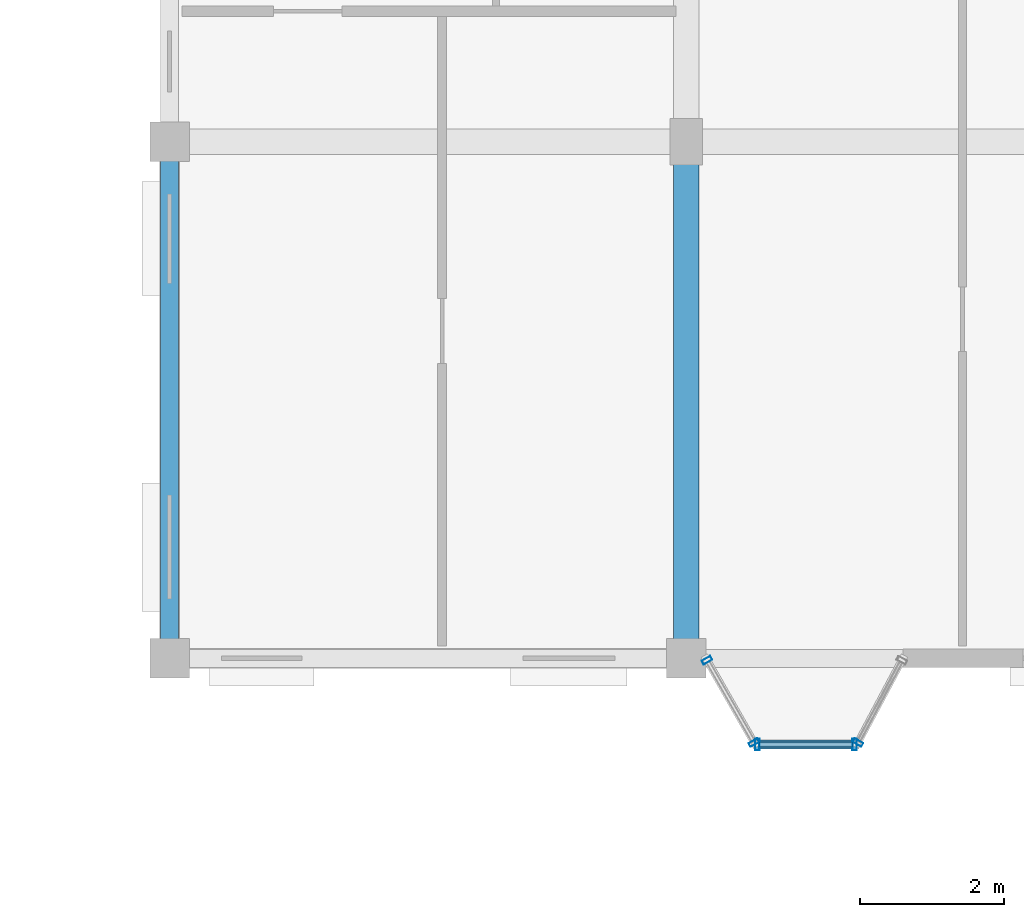
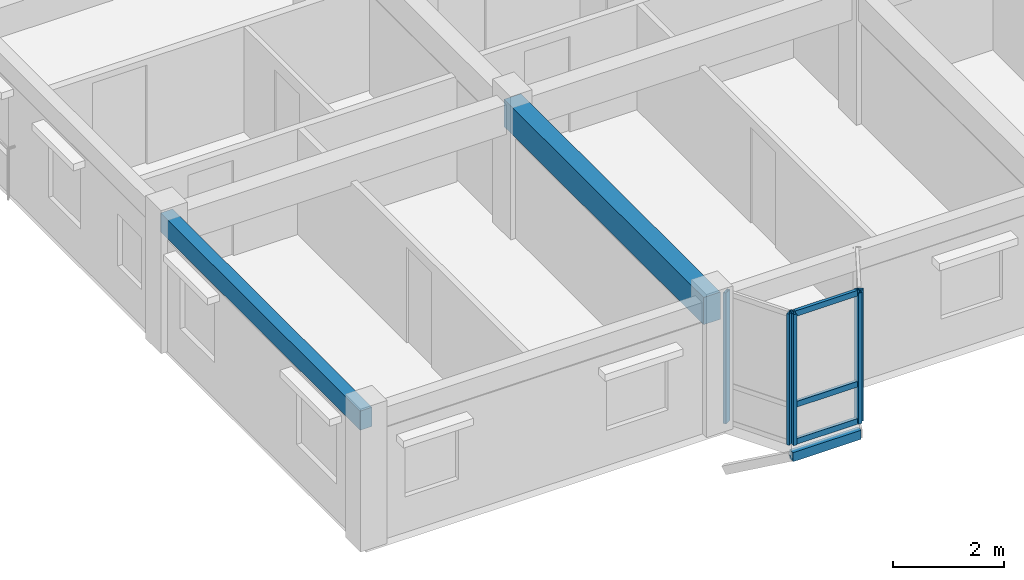
# One storey, part 32 of 79: 9 members, 2 beams, 3 elements without a shape of their own.
"""IFC4 building model written with IfcOpenShell, lengths in metres."""

from ifc_helpers import new_model, si_unit, direction, frame, origin, origin_2d, place, context, subcontext, project, spatial, rectangle, hollow_rectangle, extrude, material, layer, layer_set, material_profile, profile_set, type_object, element, aggregate, save


model = new_model("IFC4")

# Units and contexts
model_context = context("Model", 3, precision=1e-05, world=origin(), true_north=direction((0.0, 1.0)))
body_context = subcontext(model_context, "Body", "Model", "MODEL_VIEW")
ifc_project = project(units=[si_unit("LENGTHUNIT", "METRE"), si_unit("AREAUNIT", "SQUARE_METRE"), si_unit("VOLUMEUNIT", "CUBIC_METRE"), si_unit("PLANEANGLEUNIT", "RADIAN"), si_unit("MASSUNIT", "GRAM", prefix="KILO"), si_unit("THERMODYNAMICTEMPERATUREUNIT", "KELVIN"), si_unit("POWERUNIT", "WATT")], contexts=[model_context])

# Site, building, storey
site_placement = place(None, origin())
site = spatial("IfcSite", under=ifc_project, at=site_placement, CompositionType="ELEMENT")
building_placement = place(site_placement, origin())
building = spatial("IfcBuilding", under=site, at=building_placement, Name="Tavuni Mirador Residences", CompositionType="ELEMENT")
storey_placement = place(building_placement, frame((0.0, 0.0, 13.949951171875)))
storey = spatial("IfcBuildingStorey", under=building, at=storey_placement, Name="L04", CompositionType="ELEMENT", Elevation=13.949951171875)

# Beams
ifc_material_1 = material(Name="Precast concrete C40/50", Category="concrete")
ifc_material_profile_1 = material_profile(ifc_material_1, rectangle(XDim=0.35009765625, YDim=0.60009765625, at=origin_2d()), Name="PC 350x600", Category="concrete")
ifc_profile_set_1 = profile_set([ifc_material_profile_1], Name="Precast concrete C40/50")
beam_type_1 = type_object("IfcBeamType", Name="BT-B600", PredefinedType="BEAM", material=ifc_profile_set_1)
beam_1_placement = place(storey_placement, frame((18.0, 144.0, 2.5849609375), z_axis=(0.0, 1.0, 0.0), x_axis=(-1.0, 0.0, 0.0)))
element("IfcBeam", 1, at=beam_1_placement, inside=storey, type_object=beam_type_1, Name="BMY-BLK-C-L04-01-00", PredefinedType="BEAM", context=body_context, shape_type="SweptSolid", body=[
    extrude(rectangle(XDim=0.35009765625, YDim=0.60009765625, at=origin_2d()), origin(), (0.0, 0.0, 1.0), 7.199951171875),
])
ifc_material_profile_2 = material_profile(ifc_material_1, rectangle(XDim=0.25, YDim=0.419921875, at=origin_2d()), Name="PC 250x420", Category="concrete")
ifc_profile_set_2 = profile_set([ifc_material_profile_2], Name="Precast concrete C40/50")
beam_type_2 = type_object("IfcBeamType", Name="BT-SP420", PredefinedType="SPANDREL", material=ifc_profile_set_2)
beam_2_placement = place(storey_placement, frame((10.800048828125, 144.0, 2.675048828125), z_axis=(0.0, 1.0, 0.0), x_axis=(-1.0, 0.0, 0.0)))
element("IfcBeam", 2, at=beam_2_placement, inside=storey, type_object=beam_type_2, Name="BMY-BLK-C-L04-00-00", PredefinedType="SPANDREL", context=body_context, shape_type="SweptSolid", body=[
    extrude(rectangle(XDim=0.25, YDim=0.419921875, at=origin_2d()), origin(), (0.0, 0.0, 1.0), 7.199951171875),
])

# Curtain wall, members
ifc_material_2 = material(Name="Anodised aluminium", Category="aluminium")
ifc_layer_1 = layer(ifc_material_2, 0.175048828125, Name="Anodised aluminium", Category="aluminium")
ifc_layer_set_1 = layer_set([ifc_layer_1], Name="Anodised aluminium")
curtain_wall_type_1 = type_object("IfcCurtainWallType", Name="CWT-MIR-C", PredefinedType="NOTDEFINED", material=ifc_layer_set_1)
curtain_wall_1_placement = place(storey_placement, origin())
curtain_wall_1 = element("IfcCurtainWall", 3, at=curtain_wall_1_placement, inside=storey, type_object=curtain_wall_type_1, Name="CW-MIR-C-S1-L04-M1", PredefinedType="NOTDEFINED")
ifc_material_profile_3 = material_profile(ifc_material_2, hollow_rectangle(XDim=0.06005859375, YDim=0.139892578125, WallThickness=0.00390625, at=origin_2d()), Name="ALU 60x140x4.0", Category="aluminium")
ifc_profile_set_3 = profile_set([ifc_material_profile_3], Name="Anodised aluminium")
member_type_1 = type_object("IfcMemberType", Name="CWM-140", PredefinedType="MULLION", material=ifc_profile_set_3)
member_1_placement = place(storey_placement, frame((18.289794921875, 143.973876953125, 0.0), z_axis=(0.0, 0.0, 1.0), x_axis=(0.495749192217, -0.868465738194, 0.0)))
member_1 = element("IfcMember", 4, at=member_1_placement, type_object=member_type_1, Name="CW-03 mullion 1", PredefinedType="MULLION", context=body_context, shape_type="SweptSolid", body=[
    extrude(hollow_rectangle(XDim=0.06005859375, YDim=0.139892578125, WallThickness=0.00390625, at=origin_2d()), origin(), (0.0, 0.0, 1.0), 2.885009765625),
])
member_2_placement = place(storey_placement, frame((18.945068359375, 142.826171875, 0.0), z_axis=(0.0, 0.0, 1.0), x_axis=(0.495749192217, -0.868465738194, 0.0)))
member_2 = element("IfcMember", 5, at=member_2_placement, type_object=member_type_1, Name="CW-03 mullion 2", PredefinedType="MULLION", context=body_context, shape_type="SweptSolid", body=[
    extrude(hollow_rectangle(XDim=0.06005859375, YDim=0.139892578125, WallThickness=0.00390625, at=origin_2d()), origin(), (0.0, 0.0, 1.0), 2.885009765625),
])
aggregate(curtain_wall_1, [member_1, member_2])

# Curtain wall, member
ifc_layer_2 = layer(ifc_material_2, 0.1650390625, Name="Anodised aluminium", Category="aluminium")
ifc_layer_set_2 = layer_set([ifc_layer_2], Name="Anodised aluminium")
curtain_wall_type_2 = type_object("IfcCurtainWallType", Name="CWT-MIR-A", PredefinedType="NOTDEFINED", material=ifc_layer_set_2)
curtain_wall_2_placement = place(storey_placement, origin())
curtain_wall_2 = element("IfcCurtainWall", 6, at=curtain_wall_2_placement, inside=storey, type_object=curtain_wall_type_2, Name="CW-MIR-C-S1-L04-M2", PredefinedType="NOTDEFINED")
member_3_placement = place(storey_placement, frame((20.39404296875, 142.826416015625, 0.0), z_axis=(0.0, 0.0, 1.0), x_axis=(0.470588235296, 0.882352941175, 0.0)))
member_3 = element("IfcMember", 7, at=member_3_placement, type_object=member_type_1, Name="CW-01 mullion 1", PredefinedType="MULLION", context=body_context, shape_type="SweptSolid", body=[
    extrude(hollow_rectangle(XDim=0.06005859375, YDim=0.139892578125, WallThickness=0.00390625, at=origin_2d()), origin(), (0.0, 0.0, 1.0), 2.885009765625),
])
aggregate(curtain_wall_2, [member_3])

# Curtain wall, members
ifc_layer_3 = layer(ifc_material_2, 0.159912109375, Name="Anodised aluminium", Category="aluminium")
ifc_layer_set_3 = layer_set([ifc_layer_3], Name="Anodised aluminium")
curtain_wall_type_3 = type_object("IfcCurtainWallType", Name="CWT-MIR-D", PredefinedType="NOTDEFINED", material=ifc_layer_set_3)
curtain_wall_3_placement = place(storey_placement, origin())
curtain_wall_3 = element("IfcCurtainWall", 8, at=curtain_wall_3_placement, inside=storey, type_object=curtain_wall_type_3, Name="CW-MIR-C-S1-L04-MF", PredefinedType="NOTDEFINED")
ifc_material_profile_4 = material_profile(ifc_material_2, hollow_rectangle(XDim=0.06494140625, YDim=0.1650390625, WallThickness=0.00439453125, at=origin_2d()), Name="ALU 65x165x4.5", Category="aluminium")
ifc_profile_set_4 = profile_set([ifc_material_profile_4], Name="Anodised aluminium")
member_type_2 = type_object("IfcMemberType", Name="CWM-165", PredefinedType="MULLION", material=ifc_profile_set_4)
member_4_placement = place(storey_placement, frame((18.992431640625, 142.800048828125, 0.0), z_axis=(0.0, 0.0, 1.0), x_axis=(1.0, 0.0, 0.0)))
member_4 = element("IfcMember", 9, at=member_4_placement, type_object=member_type_2, Name="CW-04 mullion 1", PredefinedType="MULLION", context=body_context, shape_type="SweptSolid", body=[
    extrude(hollow_rectangle(XDim=0.06494140625, YDim=0.1650390625, WallThickness=0.00439453125, at=origin_2d()), origin(), (0.0, 0.0, 1.0), 2.885009765625),
])
member_5_placement = place(storey_placement, frame((20.347412109375, 142.800048828125, 0.0), z_axis=(0.0, 0.0, 1.0), x_axis=(1.0, 0.0, 0.0)))
member_5 = element("IfcMember", 10, at=member_5_placement, type_object=member_type_2, Name="CW-04 mullion 2", PredefinedType="MULLION", context=body_context, shape_type="SweptSolid", body=[
    extrude(hollow_rectangle(XDim=0.06494140625, YDim=0.1650390625, WallThickness=0.00439453125, at=origin_2d()), origin(), (0.0, 0.0, 1.0), 2.885009765625),
])
ifc_material_profile_5 = material_profile(ifc_material_2, hollow_rectangle(XDim=0.06494140625, YDim=0.125, WallThickness=0.00439453125, at=origin_2d()), Name="ALU 65x125x4.5", Category="aluminium")
ifc_profile_set_5 = profile_set([ifc_material_profile_5], Name="Anodised aluminium")
member_type_3 = type_object("IfcMemberType", Name="CWT-125", PredefinedType="USERDEFINED", material=ifc_profile_set_5)
member_6_placement = place(storey_placement, frame((19.02490234375, 142.800048828125, 0.032470703125), z_axis=(1.0, 0.0, 0.0), x_axis=(0.0, 1.0, 0.0)))
member_6 = element("IfcMember", 11, at=member_6_placement, type_object=member_type_3, Name="CW-04 transom 1.1", ObjectType="TRANSOM", PredefinedType="USERDEFINED", context=body_context, shape_type="SweptSolid", body=[
    extrude(hollow_rectangle(XDim=0.06494140625, YDim=0.125, WallThickness=0.00439453125, at=origin_2d()), origin(), (0.0, 0.0, 1.0), 1.2900390625),
])
member_7_placement = place(storey_placement, frame((19.02490234375, 142.800048828125, 0.85009765625), z_axis=(1.0, 0.0, 0.0), x_axis=(0.0, 1.0, 0.0)))
member_7 = element("IfcMember", 12, at=member_7_placement, type_object=member_type_3, Name="CW-04 transom 1.2", ObjectType="TRANSOM", PredefinedType="USERDEFINED", context=body_context, shape_type="SweptSolid", body=[
    extrude(hollow_rectangle(XDim=0.06494140625, YDim=0.125, WallThickness=0.00439453125, at=origin_2d()), origin(), (0.0, 0.0, 1.0), 1.2900390625),
])
member_8_placement = place(storey_placement, frame((19.02490234375, 142.800048828125, 2.8525390625), z_axis=(1.0, 0.0, 0.0), x_axis=(0.0, 1.0, 0.0)))
member_8 = element("IfcMember", 13, at=member_8_placement, type_object=member_type_3, Name="CW-04 transom 1.3", ObjectType="TRANSOM", PredefinedType="USERDEFINED", context=body_context, shape_type="SweptSolid", body=[
    extrude(hollow_rectangle(XDim=0.06494140625, YDim=0.125, WallThickness=0.00439453125, at=origin_2d()), origin(), (0.0, 0.0, 1.0), 1.2900390625),
])
aggregate(curtain_wall_3, [member_4, member_5, member_6, member_7, member_8])

# Member
ifc_material_3 = material(Name="Structural steel S355", Category="steel")
ifc_material_profile_6 = material_profile(ifc_material_3, hollow_rectangle(XDim=0.1201171875, YDim=0.199951171875, WallThickness=0.010009765625, at=origin_2d()), Name="RHS 200x120x10.0", Category="steel")
ifc_profile_set_6 = profile_set([ifc_material_profile_6], Name="Structural steel S355")
member_type_4 = type_object("IfcMemberType", Name="MT-ST-RHS200", PredefinedType="STRUT", material=ifc_profile_set_6)
member_9_placement = place(storey_placement, frame((18.9599609375, 142.800048828125, -0.264892578125), z_axis=(1.0, 0.0, 0.0), x_axis=(0.0, 1.0, 0.0)))
element("IfcMember", 14, at=member_9_placement, inside=storey, type_object=member_type_4, Name="MRIM-MIR-C-S1-L04", PredefinedType="STRUT", context=body_context, shape_type="SweptSolid", body=[
    extrude(hollow_rectangle(XDim=0.1201171875, YDim=0.199951171875, WallThickness=0.010009765625, at=origin_2d()), origin(), (0.0, 0.0, 1.0), 1.419921875),
])

save(model, "model.ifc")
